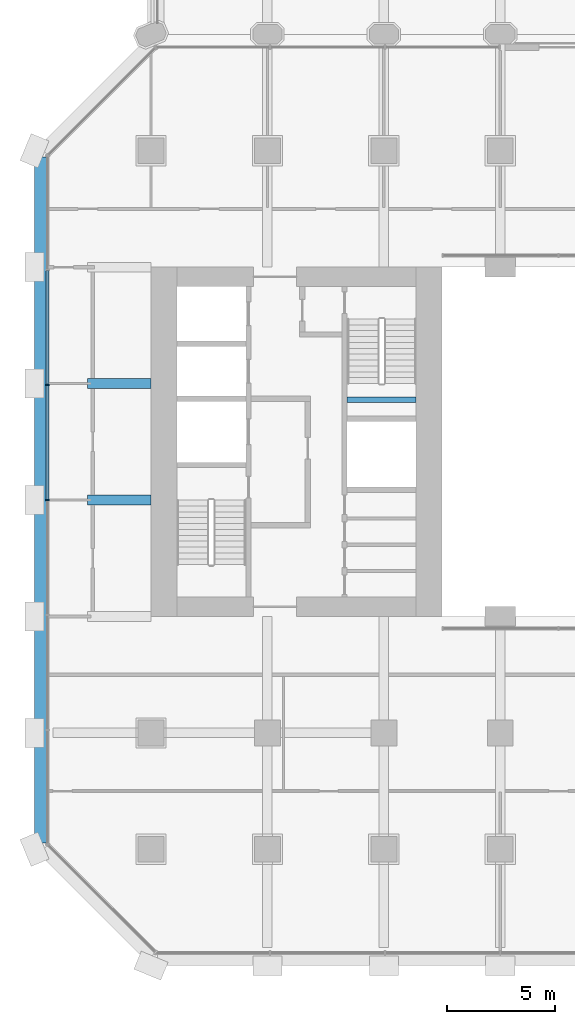
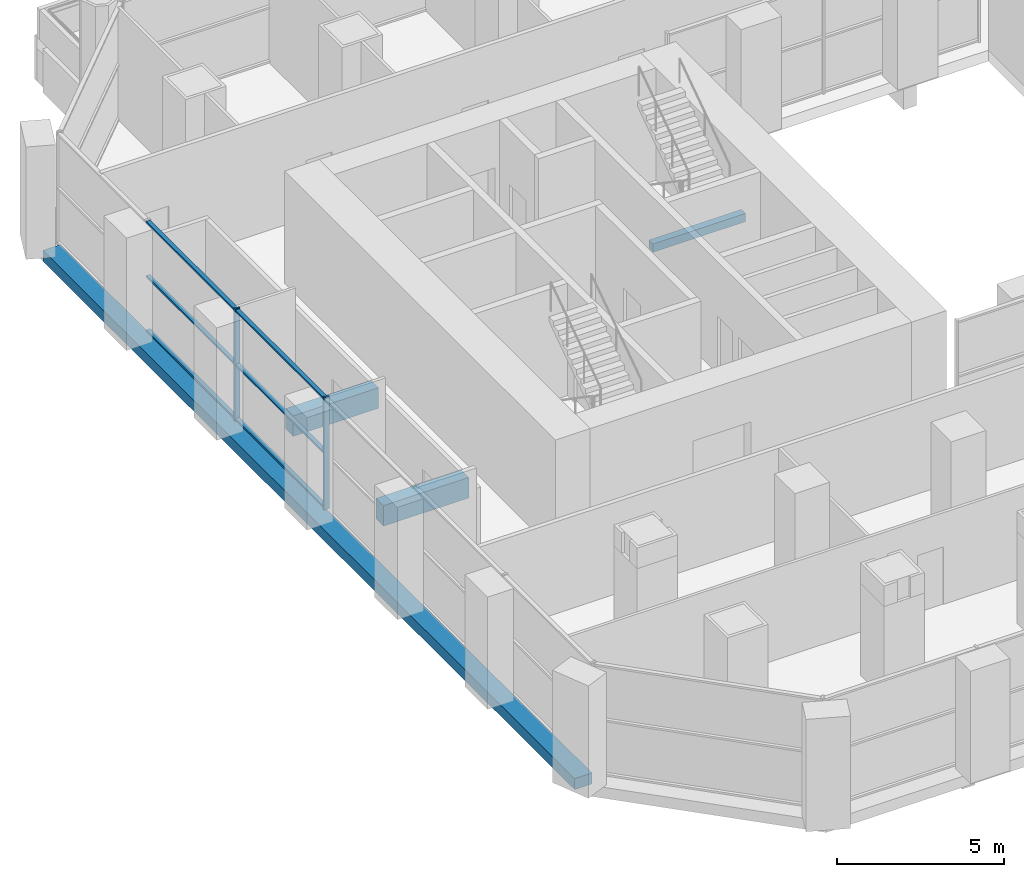
# One storey, part 5 of 23: 8 members, 4 beams, 1 element without a shape of its own.
"""IFC4 building model written with IfcOpenShell, lengths in metres."""

from ifc_helpers import new_model, si_unit, direction, frame, origin, origin_2d, place, context, subcontext, project, spatial, rectangle, extrude, material, material_profile, profile_set, type_object, element, aggregate, save


model = new_model("IFC4")

# Units and contexts
model_context = context("Model", 3, precision=1e-05, world=origin(), true_north=direction((0.0, 1.0)))
body_context = subcontext(model_context, "Body", "Model", "MODEL_VIEW")
ifc_project = project(units=[si_unit("LENGTHUNIT", "METRE"), si_unit("AREAUNIT", "SQUARE_METRE"), si_unit("VOLUMEUNIT", "CUBIC_METRE"), si_unit("PLANEANGLEUNIT", "RADIAN"), si_unit("MASSUNIT", "GRAM", prefix="KILO")], contexts=[model_context])

# Site, building, storey
site_placement = place(None, origin())
site = spatial("IfcSite", under=ifc_project, at=site_placement, CompositionType="ELEMENT")
building_placement = place(site_placement, origin())
building = spatial("IfcBuilding", under=site, at=building_placement, Name="Tabaq Tower and Sports Hall", CompositionType="ELEMENT")
storey_placement = place(building_placement, frame((0.0, 0.0, 24.60009765625)))
storey = spatial("IfcBuildingStorey", under=building, at=storey_placement, Name="L04", CompositionType="ELEMENT", Elevation=24.60009765625)

# Curtain wall, members
ifc_material_1 = material(Name="Aluminium alloy 6063-T6 framed glazing", Category="aluminium")
curtain_wall_type = type_object("IfcCurtainWallType", Name="CW7 curtain wall", PredefinedType="USERDEFINED", material=ifc_material_1)
curtain_wall_placement = place(storey_placement, origin())
curtain_wall = element("IfcCurtainWall", 1, at=curtain_wall_placement, inside=storey, type_object=curtain_wall_type, Name="Podium Wall L04 W", ObjectType="PODIUM WALL", PredefinedType="USERDEFINED")
ifc_material_2 = material(Name="Aluminium alloy 6063-T6", Category="aluminium")
ifc_material_profile_1 = material_profile(ifc_material_2, rectangle(XDim=0.179931640625, YDim=0.06494140625, at=origin_2d()), Name="MULLION 180x65")
ifc_profile_set_1 = profile_set([ifc_material_profile_1], Name="Aluminium alloy 6063-T6")
member_type_1 = type_object("IfcMemberType", Name="CW7 mullion 180x65", PredefinedType="MULLION", material=ifc_profile_set_1)
member_1_placement = place(storey_placement, frame((0.60009765625, 26.93798828125, 0.0), z_axis=(0.0, 0.0, 1.0), x_axis=(1.0, 0.0, 0.0)))
member_1 = element("IfcMember", 2, at=member_1_placement, type_object=member_type_1, Name="CW7 mullion 3", PredefinedType="MULLION", context=body_context, shape_type="SweptSolid", body=[
    extrude(rectangle(XDim=0.179931640625, YDim=0.06494140625, at=origin_2d()), origin(), (0.0, 0.0, 1.0), 4.099853515625),
])
member_2_placement = place(storey_placement, frame((0.60009765625, 21.60009765625, 0.0), z_axis=(0.0, 0.0, 1.0), x_axis=(1.0, 0.0, 0.0)))
member_2 = element("IfcMember", 3, at=member_2_placement, type_object=member_type_1, Name="CW7 mullion 4", PredefinedType="MULLION", context=body_context, shape_type="SweptSolid", body=[
    extrude(rectangle(XDim=0.179931640625, YDim=0.06494140625, at=origin_2d()), origin(), (0.0, 0.0, 1.0), 4.099853515625),
])
ifc_material_3 = material(Name="Aluminium alloy 6063-T6", Category="aluminium")
ifc_material_profile_2 = material_profile(ifc_material_3, rectangle(XDim=0.139892578125, YDim=0.06494140625, at=origin_2d()), Name="TRANSOM 140x65")
ifc_profile_set_2 = profile_set([ifc_material_profile_2], Name="Aluminium alloy 6063-T6")
member_type_2 = type_object("IfcMemberType", Name="CW7 transom 140x65", PredefinedType="USERDEFINED", material=ifc_profile_set_2)
member_3_placement = place(storey_placement, frame((0.60009765625, 32.2431640625, 0.06982421875), z_axis=(0.0, -1.0, 0.0), x_axis=(1.0, 0.0, 0.0)))
member_3 = element("IfcMember", 4, at=member_3_placement, type_object=member_type_2, Name="CW7 transom 2.1", ObjectType="TRANSOM", PredefinedType="USERDEFINED", context=body_context, shape_type="SweptSolid", body=[
    extrude(rectangle(XDim=0.139892578125, YDim=0.06494140625, at=origin_2d()), origin(), (0.0, 0.0, 1.0), 5.272705078125),
])
member_4_placement = place(storey_placement, frame((0.60009765625, 32.2431640625, 2.0498046875), z_axis=(0.0, -1.0, 0.0), x_axis=(1.0, 0.0, 0.0)))
member_4 = element("IfcMember", 5, at=member_4_placement, type_object=member_type_2, Name="CW7 transom 2.2", ObjectType="TRANSOM", PredefinedType="USERDEFINED", context=body_context, shape_type="SweptSolid", body=[
    extrude(rectangle(XDim=0.139892578125, YDim=0.06494140625, at=origin_2d()), origin(), (0.0, 0.0, 1.0), 5.272705078125),
])
member_5_placement = place(storey_placement, frame((0.60009765625, 32.2431640625, 4.02978515625), z_axis=(0.0, -1.0, 0.0), x_axis=(1.0, 0.0, 0.0)))
member_5 = element("IfcMember", 6, at=member_5_placement, type_object=member_type_2, Name="CW7 transom 2.3", ObjectType="TRANSOM", PredefinedType="USERDEFINED", context=body_context, shape_type="SweptSolid", body=[
    extrude(rectangle(XDim=0.139892578125, YDim=0.06494140625, at=origin_2d()), origin(), (0.0, 0.0, 1.0), 5.272705078125),
])
member_6_placement = place(storey_placement, frame((0.60009765625, 26.9052734375, 0.06982421875), z_axis=(0.0, -1.0, 0.0), x_axis=(1.0, 0.0, 0.0)))
member_6 = element("IfcMember", 7, at=member_6_placement, type_object=member_type_2, Name="CW7 transom 3.1", ObjectType="TRANSOM", PredefinedType="USERDEFINED", context=body_context, shape_type="SweptSolid", body=[
    extrude(rectangle(XDim=0.139892578125, YDim=0.06494140625, at=origin_2d()), origin(), (0.0, 0.0, 1.0), 5.272705078125),
])
member_7_placement = place(storey_placement, frame((0.60009765625, 26.9052734375, 2.0498046875), z_axis=(0.0, -1.0, 0.0), x_axis=(1.0, 0.0, 0.0)))
member_7 = element("IfcMember", 8, at=member_7_placement, type_object=member_type_2, Name="CW7 transom 3.2", ObjectType="TRANSOM", PredefinedType="USERDEFINED", context=body_context, shape_type="SweptSolid", body=[
    extrude(rectangle(XDim=0.139892578125, YDim=0.06494140625, at=origin_2d()), origin(), (0.0, 0.0, 1.0), 5.272705078125),
])
member_8_placement = place(storey_placement, frame((0.60009765625, 26.9052734375, 4.02978515625), z_axis=(0.0, -1.0, 0.0), x_axis=(1.0, 0.0, 0.0)))
member_8 = element("IfcMember", 9, at=member_8_placement, type_object=member_type_2, Name="CW7 transom 3.3", ObjectType="TRANSOM", PredefinedType="USERDEFINED", context=body_context, shape_type="SweptSolid", body=[
    extrude(rectangle(XDim=0.139892578125, YDim=0.06494140625, at=origin_2d()), origin(), (0.0, 0.0, 1.0), 5.272705078125),
])
aggregate(curtain_wall, [member_1, member_2, member_3, member_4, member_5, member_6, member_7, member_8])

# Beams
ifc_material_4 = material(Name="Concrete C40/50", Category="concrete")
ifc_material_profile_3 = material_profile(ifc_material_4, rectangle(XDim=0.449951171875, YDim=0.75, at=origin_2d()), Name="CB 450x750")
ifc_profile_set_3 = profile_set([ifc_material_profile_3], Name="Concrete C40/50")
beam_type_1 = type_object("IfcBeamType", Name="PT CANTILEVER BEAM CB 450x750 C40/50", PredefinedType="BEAM", material=ifc_profile_set_3)
for number, where, z_axis, x_axis, name in (
    (10, (2.449951171875, 21.60009765625, -0.775146484375), (1.0, 0.0, 0.0), (0.0, 1.0, 0.0), "Cantilever Beam L04 W4 span 1"),
    (11, (2.449951171875, 27.0, -0.775146484375), (1.0, 0.0, 0.0), (0.0, 1.0, 0.0), "Cantilever Beam L04 W5 span 1"),
):
    element("IfcBeam", number, at=place(storey_placement, frame(where, z_axis=z_axis, x_axis=x_axis)), inside=storey, type_object=beam_type_1, Name=name, PredefinedType="BEAM", context=body_context, shape_type="SweptSolid", body=[
        extrude(rectangle(XDim=0.449951171875, YDim=0.75, at=origin_2d()), origin(), (0.0, 0.0, 1.0), 2.949951171875),
    ])
ifc_material_5 = material(Name="Concrete C40/50", Category="concrete")
ifc_material_profile_4 = material_profile(ifc_material_5, rectangle(XDim=0.60009765625, YDim=0.39990234375, at=origin_2d()), Name="EB 600x400")
ifc_profile_set_4 = profile_set([ifc_material_profile_4], Name="Concrete C40/50")
beam_type_2 = type_object("IfcBeamType", Name="PT EDGE BEAM EB 600x400 C40/50", PredefinedType="SPANDREL", material=ifc_profile_set_4)
beam_1_placement = place(storey_placement, frame((0.300048828125, 37.50146484375, -0.2001953125), z_axis=(0.0, -1.0, 0.0), x_axis=(1.0, 0.0, 0.0)))
element("IfcBeam", 12, at=beam_1_placement, inside=storey, type_object=beam_type_2, Name="Edge Beam L04 4", PredefinedType="SPANDREL", context=body_context, shape_type="SweptSolid", body=[
    extrude(rectangle(XDim=0.60009765625, YDim=0.39990234375, at=origin_2d()), origin(), (0.0, 0.0, 1.0), 31.802978515625),
])
ifc_material_6 = material(Name="Concrete C40/50", Category="concrete")
ifc_material_profile_5 = material_profile(ifc_material_6, rectangle(XDim=0.25, YDim=0.300048828125, at=origin_2d()), Name="RC 250x300")
ifc_profile_set_5 = profile_set([ifc_material_profile_5], Name="Concrete C40/50")
beam_type_3 = type_object("IfcBeamType", Name="Stair landing beam 250x300", PredefinedType="BEAM", material=ifc_profile_set_5)
beam_2_placement = place(storey_placement, frame((14.5, 26.25, 1.89990234375), z_axis=(1.0, 0.0, 0.0), x_axis=(0.0, 1.0, 0.0)))
element("IfcBeam", 13, at=beam_2_placement, inside=storey, type_object=beam_type_3, Name="L04 ST2 landing beam 1", PredefinedType="BEAM", context=body_context, shape_type="SweptSolid", body=[
    extrude(rectangle(XDim=0.25, YDim=0.300048828125, at=origin_2d()), origin(), (0.0, 0.0, 1.0), 3.199951171875),
])

save(model, "model.ifc")
